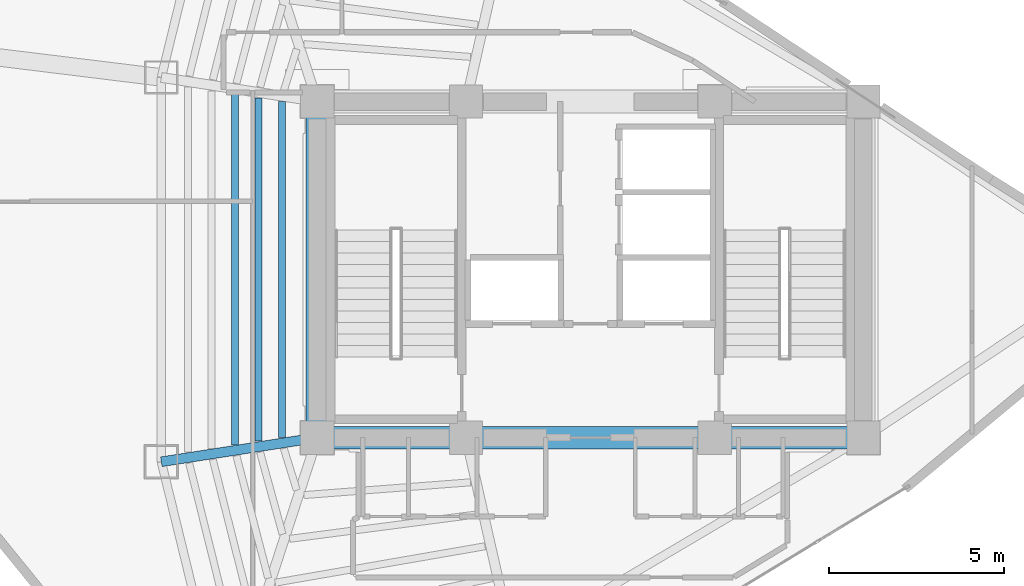
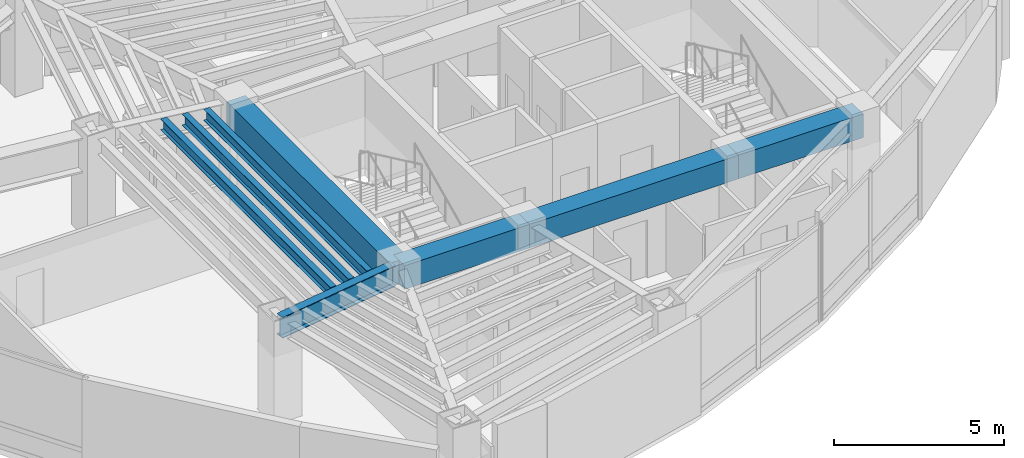
# One storey, part 5 of 16: 8 beams.
"""IFC4 building model written with IfcOpenShell, lengths in metres."""

from ifc_helpers import new_model, si_unit, direction, frame, origin, origin_2d, place, context, subcontext, project, spatial, rectangle, i_section, extrude, material, material_profile, profile_set, type_object, element, save


model = new_model("IFC4")

# Units and contexts
model_context = context("Model", 3, precision=1e-05, world=origin(), true_north=direction((0.0, 1.0)))
body_context = subcontext(model_context, "Body", "Model", "MODEL_VIEW")
ifc_project = project(units=[si_unit("LENGTHUNIT", "METRE"), si_unit("AREAUNIT", "SQUARE_METRE"), si_unit("VOLUMEUNIT", "CUBIC_METRE"), si_unit("PLANEANGLEUNIT", "RADIAN"), si_unit("MASSUNIT", "GRAM", prefix="KILO")], contexts=[model_context])

# Site, building, storey
site_placement = place(None, origin())
site = spatial("IfcSite", under=ifc_project, at=site_placement, CompositionType="ELEMENT")
building_placement = place(site_placement, origin())
building = spatial("IfcBuilding", under=site, at=building_placement, Name="Menara Vayukalpa", CompositionType="ELEMENT")
storey_placement = place(building_placement, frame((0.0, 0.0, 195.239990234375)))
storey = spatial("IfcBuildingStorey", under=building, at=storey_placement, Name="L49", CompositionType="ELEMENT", Elevation=195.239990234375)

# Beams
ifc_material_1 = material(Name="Concrete C60/75", Category="concrete")
ifc_material_profile_1 = material_profile(ifc_material_1, rectangle(XDim=0.64990234375, YDim=0.85009765625, at=origin_2d()), Name="RC 650x850")
ifc_profile_set_1 = profile_set([ifc_material_profile_1], Name="Concrete C60/75")
beam_type_1 = type_object("IfcBeamType", Name="BM-CB1", PredefinedType="BEAM", material=ifc_profile_set_1)
beam_1_placement = place(storey_placement, frame((17.800048828125, 17.199951171875, 3.074951171875), z_axis=(1.0, 0.0, 0.0), x_axis=(0.0, 1.0, 0.0)))
element("IfcBeam", 1, at=beam_1_placement, inside=storey, type_object=beam_type_1, Name="L49 Core Tie Beam CBR1", PredefinedType="BEAM", context=body_context, shape_type="SweptSolid", body=[
    extrude(rectangle(XDim=0.64990234375, YDim=0.85009765625, at=origin_2d()), origin(), (0.0, 0.0, 1.0), 4.25),
])
beam_2_placement = place(storey_placement, frame((22.050048828125, 17.199951171875, 3.074951171875), z_axis=(1.0, 0.0, 0.0), x_axis=(0.0, 1.0, 0.0)))
element("IfcBeam", 2, at=beam_2_placement, inside=storey, type_object=beam_type_1, Name="L49 Core Tie Beam CBR2", PredefinedType="BEAM", context=body_context, shape_type="SweptSolid", body=[
    extrude(rectangle(XDim=0.64990234375, YDim=0.85009765625, at=origin_2d()), origin(), (0.0, 0.0, 1.0), 7.099853515625),
])
beam_3_placement = place(storey_placement, frame((29.14990234375, 17.199951171875, 3.074951171875), z_axis=(1.0, 0.0, 0.0), x_axis=(0.0, 1.0, 0.0)))
element("IfcBeam", 3, at=beam_3_placement, inside=storey, type_object=beam_type_1, Name="L49 Core Tie Beam CBR3", PredefinedType="BEAM", context=body_context, shape_type="SweptSolid", body=[
    extrude(rectangle(XDim=0.64990234375, YDim=0.85009765625, at=origin_2d()), origin(), (0.0, 0.0, 1.0), 4.25),
])
beam_4_placement = place(storey_placement, frame((17.800048828125, 17.199951171875, 3.074951171875), z_axis=(0.0, 1.0, 0.0), x_axis=(-1.0, 0.0, 0.0)))
element("IfcBeam", 4, at=beam_4_placement, inside=storey, type_object=beam_type_1, Name="L49 Core Tie Beam CBR7", PredefinedType="BEAM", context=body_context, shape_type="SweptSolid", body=[
    extrude(rectangle(XDim=0.64990234375, YDim=0.85009765625, at=origin_2d()), origin(), (0.0, 0.0, 1.0), 9.60009765625),
])
ifc_material_2 = material(Name="Steel S355", Category="steel")
ifc_material_profile_2 = material_profile(ifc_material_2, i_section(OverallWidth=0.280029296875, OverallDepth=0.75, WebThickness=0.013916015625, FlangeThickness=0.02490234375, at=origin_2d()), Name="WF 750x280x14x25")
ifc_profile_set_2 = profile_set([ifc_material_profile_2], Name="Steel S355")
beam_type_2 = type_object("IfcBeamType", Name="BM-PG4", PredefinedType="BEAM", material=ifc_profile_set_2)
beam_5_placement = place(storey_placement, frame((17.552978515625, 17.161865234375, 3.125), z_axis=(-0.988244781219, -0.152879862617, 0.0), x_axis=(0.152879862617, -0.988244781219, 0.0)))
element("IfcBeam", 5, at=beam_5_placement, inside=storey, type_object=beam_type_2, Name="L49 Primary Radial Girder RG06", PredefinedType="BEAM", context=body_context, shape_type="SweptSolid", body=[
    extrude(i_section(OverallWidth=0.280029296875, OverallDepth=0.75, WebThickness=0.013916015625, FlangeThickness=0.02490234375, at=origin_2d()), origin(), (0.0, 0.0, 1.0), 4.259033203125),
])
ifc_material_3 = material(Name="Steel S355", Category="steel")
ifc_material_profile_3 = material_profile(ifc_material_3, i_section(OverallWidth=0.199951171875, OverallDepth=0.39990234375, WebThickness=0.008056640625, FlangeThickness=0.012939453125, at=origin_2d()), Name="WF 400x200x8x13")
ifc_profile_set_3 = profile_set([ifc_material_profile_3], Name="Steel S355")
beam_type_3 = type_object("IfcBeamType", Name="BM-SJ2", PredefinedType="JOIST", material=ifc_profile_set_3)
beam_6_placement = place(storey_placement, frame((16.79541015625, 26.79541015625, 3.300048828125), z_axis=(0.0, -1.0, 0.0), x_axis=(1.0, 0.0, 0.0)))
element("IfcBeam", 6, at=beam_6_placement, inside=storey, type_object=beam_type_3, Name="L49 Secondary Floor Joist SJ05-1", PredefinedType="JOIST", context=body_context, shape_type="SweptSolid", body=[
    extrude(i_section(OverallWidth=0.199951171875, OverallDepth=0.39990234375, WebThickness=0.008056640625, FlangeThickness=0.012939453125, at=origin_2d()), origin(), (0.0, 0.0, 1.0), 9.5908203125),
])
beam_7_placement = place(storey_placement, frame((16.121826171875, 26.8994140625, 3.300048828125), z_axis=(0.0, -1.0, 0.0), x_axis=(1.0, 0.0, 0.0)))
element("IfcBeam", 7, at=beam_7_placement, inside=storey, type_object=beam_type_3, Name="L49 Secondary Floor Joist SJ05-2", PredefinedType="JOIST", context=body_context, shape_type="SweptSolid", body=[
    extrude(i_section(OverallWidth=0.199951171875, OverallDepth=0.39990234375, WebThickness=0.008056640625, FlangeThickness=0.012939453125, at=origin_2d()), origin(), (0.0, 0.0, 1.0), 9.798828125),
])
beam_8_placement = place(storey_placement, frame((15.448486328125, 27.003662109375, 3.300048828125), z_axis=(0.0, -1.0, 0.0), x_axis=(1.0, 0.0, 0.0)))
element("IfcBeam", 8, at=beam_8_placement, inside=storey, type_object=beam_type_3, Name="L49 Secondary Floor Joist SJ05-3", PredefinedType="JOIST", context=body_context, shape_type="SweptSolid", body=[
    extrude(i_section(OverallWidth=0.199951171875, OverallDepth=0.39990234375, WebThickness=0.008056640625, FlangeThickness=0.012939453125, at=origin_2d()), origin(), (0.0, 0.0, 1.0), 10.00732421875),
])

save(model, "model.ifc")
